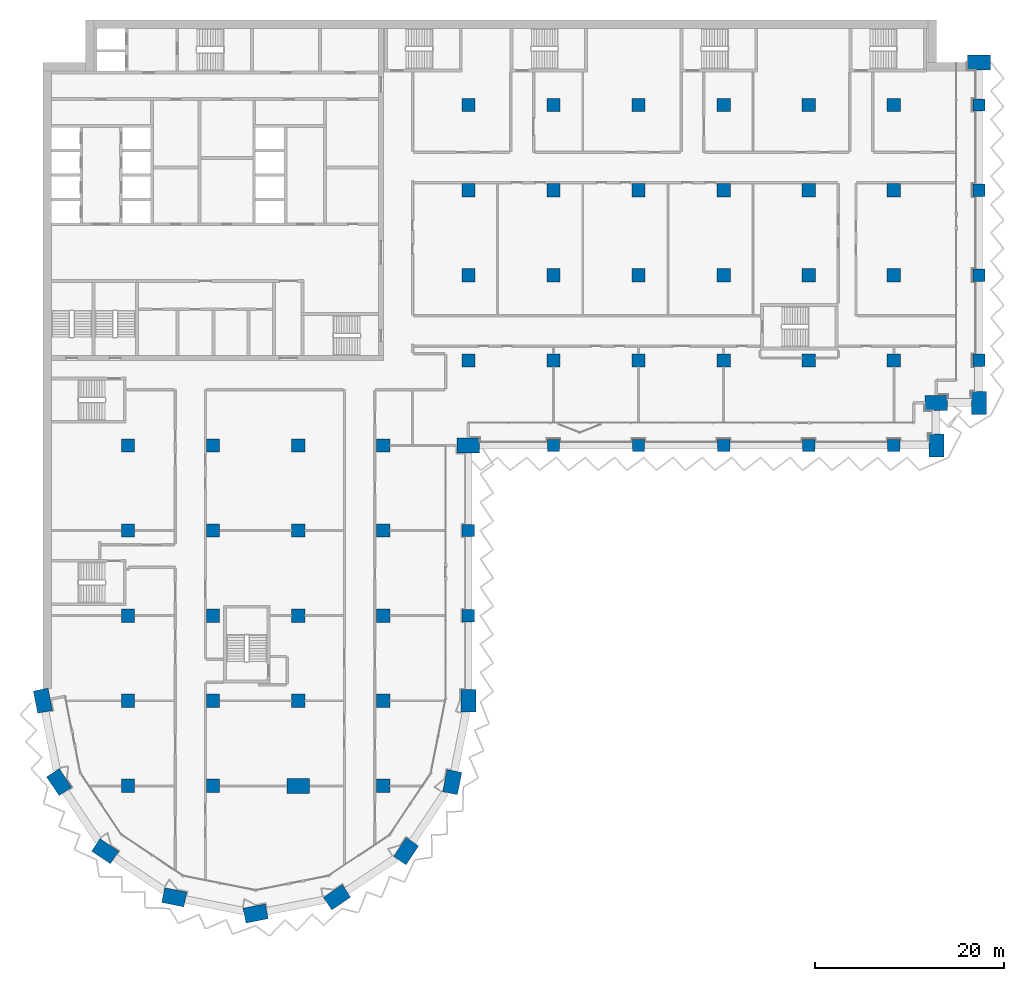
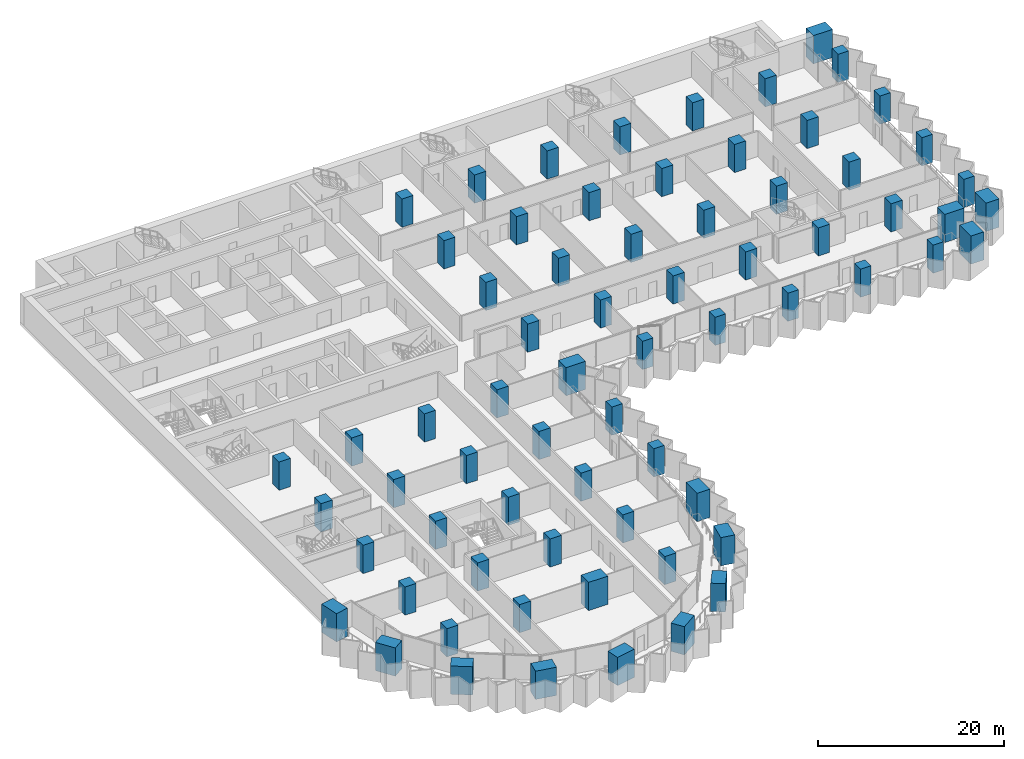
# One storey, part 1 of 28: 69 columns.
"""IFC4 building model written with IfcOpenShell, lengths in metres."""

from ifc_helpers import new_model, si_unit, direction, frame, origin, origin_2d, place, context, subcontext, project, spatial, rectangle, extrude, material, material_profile, profile_set, type_object, element, save


model = new_model("IFC4")

# Units and contexts
model_context = context("Model", 3, precision=1e-05, world=origin(), true_north=direction((0.0, 1.0)))
body_context = subcontext(model_context, "Body", "Model", "MODEL_VIEW")
ifc_project = project(units=[si_unit("LENGTHUNIT", "METRE"), si_unit("AREAUNIT", "SQUARE_METRE"), si_unit("VOLUMEUNIT", "CUBIC_METRE"), si_unit("PLANEANGLEUNIT", "RADIAN"), si_unit("MASSUNIT", "GRAM", prefix="KILO")], contexts=[model_context])

# Site, building, storey
site_placement = place(None, origin())
site = spatial("IfcSite", under=ifc_project, at=site_placement, CompositionType="ELEMENT")
building_placement = place(site_placement, origin())
building = spatial("IfcBuilding", under=site, at=building_placement, Name="Hunhe Ridgeline Campus", CompositionType="ELEMENT")
storey_placement = place(building_placement, frame((0.0, 0.0, 39.5)))
storey = spatial("IfcBuildingStorey", under=building, at=storey_placement, Name="L08", CompositionType="ELEMENT", Elevation=39.5)

# Columns
ifc_material = material(Name="Concrete C80", Category="concrete")
ifc_material_profile_1 = material_profile(ifc_material, rectangle(XDim=2.39990234375, YDim=1.60009765625, at=origin_2d()))
ifc_profile_set_1 = profile_set([ifc_material_profile_1], Name="Concrete C80")
column_type_1 = type_object("IfcColumnType", Name="Megacolumn 2400x1600 Concrete C80", PredefinedType="COLUMN", material=ifc_profile_set_1)
for number, where, z_axis, x_axis, name in (
    (1, (22.5, 4.5, 0.0), (0.0, 0.0, 1.0), (0.980785280403, 0.195090322016, 0.0), "Column C3 R1 L08"),
    (2, (13.8896484375, 6.212646484375, 0.0), (0.0, 0.0, 1.0), (-0.980785280403, 0.195090322016, 0.0), "Column C3 R2 L08"),
    (3, (31.1103515625, 6.212646484375, 0.0), (0.0, 0.0, 1.0), (0.831469612303, 0.55557023302, 0.0), "Column C3 R3 L08"),
    (4, (6.590087890625, 11.090087890625, 0.0), (0.0, 0.0, 1.0), (-0.831469612303, 0.55557023302, 0.0), "Column C3 R4 L08"),
    (5, (38.409912109375, 11.090087890625, 0.0), (0.0, 0.0, 1.0), (0.55557023302, 0.831469612303, 0.0), "Column C3 R5 L08"),
    (6, (1.712646484375, 18.3896484375, 0.0), (0.0, 0.0, 1.0), (-0.55557023302, 0.831469612303, 0.0), "Column C3 R9 L08"),
    (7, (43.287353515625, 18.3896484375, 0.0), (0.0, 0.0, 1.0), (0.195090322016, 0.980785280403, 0.0), "Column C3 R10 L08"),
    (8, (0.0, 27.0, 0.0), (0.0, 0.0, 1.0), (-0.195090322016, 0.980785280403, 0.0), "Column C3 D1 L08"),
    (9, (45.0, 27.0, 0.0), (0.0, 0.0, 1.0), (0.0, 1.0, 0.0), "Column C3 D6 L08"),
    (10, (45.0, 54.0, 0.0), (0.0, 0.0, 1.0), (1.0, 0.0, 0.0), "Column C3 G6 L08"),
    (11, (94.5, 54.0, 0.0), (0.0, 0.0, 1.0), (0.0, 1.0, 0.0), "Column C3 R32 L08"),
    (12, (94.5, 58.5, 0.0), (0.0, 0.0, 1.0), (1.0, 0.0, 0.0), "Column C3 R39 L08"),
    (13, (99.0, 58.5, 0.0), (0.0, 0.0, 1.0), (0.0, 1.0, 0.0), "Column C3 R40 L08"),
    (14, (99.0, 94.5, 0.0), (0.0, 0.0, 1.0), (1.0, 0.0, 0.0), "Column C3 R44 L08"),
    (15, (27.0, 18.0, 0.0), (0.0, 0.0, 1.0), (1.0, 0.0, 0.0), "Column C3 C4 L08"),
):
    element("IfcColumn", number, at=place(storey_placement, frame(where, z_axis=z_axis, x_axis=x_axis)), inside=storey, type_object=column_type_1, Name=name, PredefinedType="COLUMN", context=body_context, shape_type="SweptSolid", body=[
        extrude(rectangle(XDim=2.39990234375, YDim=1.60009765625, at=origin_2d()), origin(), (0.0, 0.0, 1.0), 3.699951171875),
    ])
ifc_material_profile_2 = material_profile(ifc_material, rectangle(XDim=1.300048828125, YDim=1.300048828125, at=origin_2d()))
ifc_profile_set_2 = profile_set([ifc_material_profile_2], Name="Concrete C80")
column_type_2 = type_object("IfcColumnType", Name="RC column 1300x1300 Concrete C80", PredefinedType="COLUMN", material=ifc_profile_set_2)
for number, where, z_axis, x_axis, name in (
    (16, (45.0, 36.0, 0.0), (0.0, 0.0, 1.0), (1.0, 0.0, 0.0), "Column C4 E6 L08"),
    (17, (45.0, 45.0, 0.0), (0.0, 0.0, 1.0), (1.0, 0.0, 0.0), "Column C4 F6 L08"),
    (18, (54.0, 54.0, 0.0), (0.0, 0.0, 1.0), (1.0, 0.0, 0.0), "Column C4 G7 L08"),
    (19, (63.0, 54.0, 0.0), (0.0, 0.0, 1.0), (1.0, 0.0, 0.0), "Column C4 G8 L08"),
    (20, (72.0, 54.0, 0.0), (0.0, 0.0, 1.0), (1.0, 0.0, 0.0), "Column C4 G9 L08"),
    (21, (81.0, 54.0, 0.0), (0.0, 0.0, 1.0), (1.0, 0.0, 0.0), "Column C4 G10 L08"),
    (22, (90.0, 54.0, 0.0), (0.0, 0.0, 1.0), (1.0, 0.0, 0.0), "Column C4 G11 L08"),
    (23, (99.0, 63.0, 0.0), (0.0, 0.0, 1.0), (1.0, 0.0, 0.0), "Column C4 H12 L08"),
    (24, (99.0, 72.0, 0.0), (0.0, 0.0, 1.0), (1.0, 0.0, 0.0), "Column C4 I12 L08"),
    (25, (99.0, 81.0, 0.0), (0.0, 0.0, 1.0), (1.0, 0.0, 0.0), "Column C4 J12 L08"),
    (26, (99.0, 90.0, 0.0), (0.0, 0.0, 1.0), (1.0, 0.0, 0.0), "Column C4 K12 L08"),
):
    element("IfcColumn", number, at=place(storey_placement, frame(where, z_axis=z_axis, x_axis=x_axis)), inside=storey, type_object=column_type_2, Name=name, PredefinedType="COLUMN", context=body_context, shape_type="SweptSolid", body=[
        extrude(rectangle(XDim=1.300048828125, YDim=1.300048828125, at=origin_2d()), origin(), (0.0, 0.0, 1.0), 3.699951171875),
    ])
ifc_material_profile_3 = material_profile(ifc_material, rectangle(XDim=1.39990234375, YDim=1.39990234375, at=origin_2d()))
ifc_profile_set_3 = profile_set([ifc_material_profile_3], Name="Concrete C80")
column_type_3 = type_object("IfcColumnType", Name="RC column 1400x1400 Concrete C80", PredefinedType="COLUMN", material=ifc_profile_set_3)
for number, where, z_axis, x_axis, name in (
    (27, (9.0, 18.0, 0.0), (0.0, 0.0, 1.0), (1.0, 0.0, 0.0), "Column C5 C2 L08"),
    (28, (9.0, 27.0, 0.0), (0.0, 0.0, 1.0), (1.0, 0.0, 0.0), "Column C5 D2 L08"),
    (29, (9.0, 36.0, 0.0), (0.0, 0.0, 1.0), (1.0, 0.0, 0.0), "Column C5 E2 L08"),
    (30, (9.0, 45.0, 0.0), (0.0, 0.0, 1.0), (1.0, 0.0, 0.0), "Column C5 F2 L08"),
    (31, (9.0, 54.0, 0.0), (0.0, 0.0, 1.0), (1.0, 0.0, 0.0), "Column C5 G2 L08"),
    (32, (18.0, 18.0, 0.0), (0.0, 0.0, 1.0), (1.0, 0.0, 0.0), "Column C5 C3 L08"),
    (33, (18.0, 27.0, 0.0), (0.0, 0.0, 1.0), (1.0, 0.0, 0.0), "Column C5 D3 L08"),
    (34, (18.0, 36.0, 0.0), (0.0, 0.0, 1.0), (1.0, 0.0, 0.0), "Column C5 E3 L08"),
    (35, (18.0, 45.0, 0.0), (0.0, 0.0, 1.0), (1.0, 0.0, 0.0), "Column C5 F3 L08"),
    (36, (18.0, 54.0, 0.0), (0.0, 0.0, 1.0), (1.0, 0.0, 0.0), "Column C5 G3 L08"),
    (37, (27.0, 27.0, 0.0), (0.0, 0.0, 1.0), (1.0, 0.0, 0.0), "Column C5 D4 L08"),
    (38, (27.0, 36.0, 0.0), (0.0, 0.0, 1.0), (1.0, 0.0, 0.0), "Column C5 E4 L08"),
    (39, (27.0, 45.0, 0.0), (0.0, 0.0, 1.0), (1.0, 0.0, 0.0), "Column C5 F4 L08"),
    (40, (27.0, 54.0, 0.0), (0.0, 0.0, 1.0), (1.0, 0.0, 0.0), "Column C5 G4 L08"),
    (41, (36.0, 18.0, 0.0), (0.0, 0.0, 1.0), (1.0, 0.0, 0.0), "Column C5 C5 L08"),
    (42, (36.0, 27.0, 0.0), (0.0, 0.0, 1.0), (1.0, 0.0, 0.0), "Column C5 D5 L08"),
    (43, (36.0, 36.0, 0.0), (0.0, 0.0, 1.0), (1.0, 0.0, 0.0), "Column C5 E5 L08"),
    (44, (36.0, 45.0, 0.0), (0.0, 0.0, 1.0), (1.0, 0.0, 0.0), "Column C5 F5 L08"),
    (45, (36.0, 54.0, 0.0), (0.0, 0.0, 1.0), (1.0, 0.0, 0.0), "Column C5 G5 L08"),
    (46, (45.0, 63.0, 0.0), (0.0, 0.0, 1.0), (1.0, 0.0, 0.0), "Column C5 H6 L08"),
    (47, (45.0, 72.0, 0.0), (0.0, 0.0, 1.0), (1.0, 0.0, 0.0), "Column C5 I6 L08"),
    (48, (45.0, 81.0, 0.0), (0.0, 0.0, 1.0), (1.0, 0.0, 0.0), "Column C5 J6 L08"),
    (49, (45.0, 90.0, 0.0), (0.0, 0.0, 1.0), (1.0, 0.0, 0.0), "Column C5 K6 L08"),
    (50, (54.0, 63.0, 0.0), (0.0, 0.0, 1.0), (1.0, 0.0, 0.0), "Column C5 H7 L08"),
    (51, (54.0, 72.0, 0.0), (0.0, 0.0, 1.0), (1.0, 0.0, 0.0), "Column C5 I7 L08"),
    (52, (54.0, 81.0, 0.0), (0.0, 0.0, 1.0), (1.0, 0.0, 0.0), "Column C5 J7 L08"),
    (53, (54.0, 90.0, 0.0), (0.0, 0.0, 1.0), (1.0, 0.0, 0.0), "Column C5 K7 L08"),
    (54, (63.0, 63.0, 0.0), (0.0, 0.0, 1.0), (1.0, 0.0, 0.0), "Column C5 H8 L08"),
    (55, (63.0, 72.0, 0.0), (0.0, 0.0, 1.0), (1.0, 0.0, 0.0), "Column C5 I8 L08"),
    (56, (63.0, 81.0, 0.0), (0.0, 0.0, 1.0), (1.0, 0.0, 0.0), "Column C5 J8 L08"),
    (57, (63.0, 90.0, 0.0), (0.0, 0.0, 1.0), (1.0, 0.0, 0.0), "Column C5 K8 L08"),
    (58, (72.0, 63.0, 0.0), (0.0, 0.0, 1.0), (1.0, 0.0, 0.0), "Column C5 H9 L08"),
    (59, (72.0, 72.0, 0.0), (0.0, 0.0, 1.0), (1.0, 0.0, 0.0), "Column C5 I9 L08"),
    (60, (72.0, 81.0, 0.0), (0.0, 0.0, 1.0), (1.0, 0.0, 0.0), "Column C5 J9 L08"),
    (61, (72.0, 90.0, 0.0), (0.0, 0.0, 1.0), (1.0, 0.0, 0.0), "Column C5 K9 L08"),
    (62, (81.0, 63.0, 0.0), (0.0, 0.0, 1.0), (1.0, 0.0, 0.0), "Column C5 H10 L08"),
    (63, (81.0, 72.0, 0.0), (0.0, 0.0, 1.0), (1.0, 0.0, 0.0), "Column C5 I10 L08"),
    (64, (81.0, 81.0, 0.0), (0.0, 0.0, 1.0), (1.0, 0.0, 0.0), "Column C5 J10 L08"),
    (65, (81.0, 90.0, 0.0), (0.0, 0.0, 1.0), (1.0, 0.0, 0.0), "Column C5 K10 L08"),
    (66, (90.0, 63.0, 0.0), (0.0, 0.0, 1.0), (1.0, 0.0, 0.0), "Column C5 H11 L08"),
    (67, (90.0, 72.0, 0.0), (0.0, 0.0, 1.0), (1.0, 0.0, 0.0), "Column C5 I11 L08"),
    (68, (90.0, 81.0, 0.0), (0.0, 0.0, 1.0), (1.0, 0.0, 0.0), "Column C5 J11 L08"),
    (69, (90.0, 90.0, 0.0), (0.0, 0.0, 1.0), (1.0, 0.0, 0.0), "Column C5 K11 L08"),
):
    element("IfcColumn", number, at=place(storey_placement, frame(where, z_axis=z_axis, x_axis=x_axis)), inside=storey, type_object=column_type_3, Name=name, PredefinedType="COLUMN", context=body_context, shape_type="SweptSolid", body=[
        extrude(rectangle(XDim=1.39990234375, YDim=1.39990234375, at=origin_2d()), origin(), (0.0, 0.0, 1.0), 3.699951171875),
    ])

save(model, "model.ifc")
